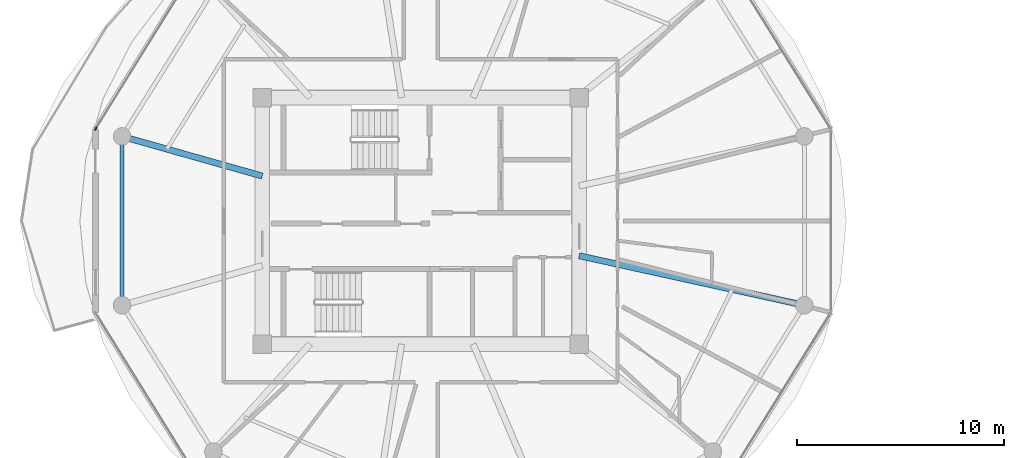
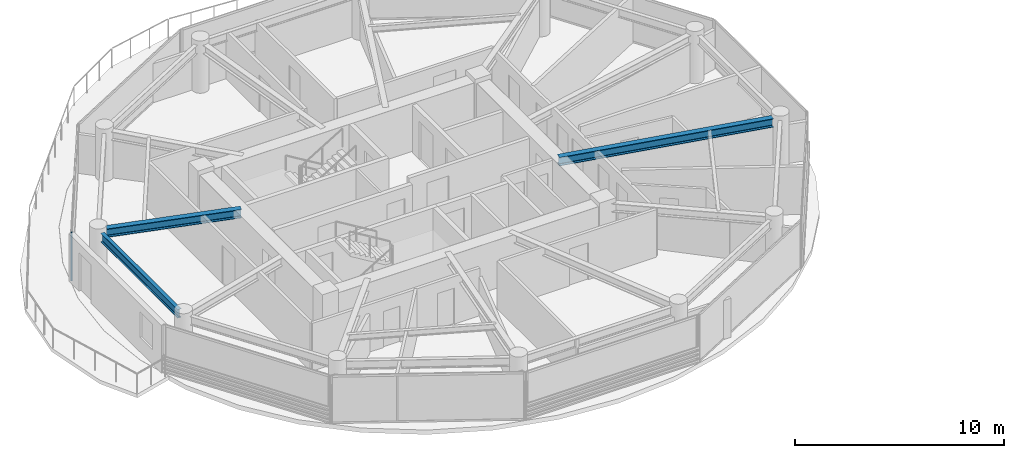
# One storey, part 3 of 22: 3 beams, 1 member, 1 element without a shape of its own.
"""IFC4 building model written with IfcOpenShell, lengths in metres."""

from ifc_helpers import new_model, si_unit, direction, frame, origin, origin_2d, place, context, subcontext, project, spatial, rectangle, i_section, extrude, source, transform, mapped, material, layer, layer_set, material_profile, profile_set, type_object, type_shapes, element, aggregate, save


model = new_model("IFC4")

# Units and contexts
model_context = context("Model", 3, precision=1e-05, world=origin(), true_north=direction((0.0, 1.0)))
body_context = subcontext(model_context, "Body", "Model", "MODEL_VIEW")
ifc_project = project(units=[si_unit("LENGTHUNIT", "METRE"), si_unit("AREAUNIT", "SQUARE_METRE"), si_unit("VOLUMEUNIT", "CUBIC_METRE"), si_unit("PLANEANGLEUNIT", "RADIAN"), si_unit("MASSUNIT", "GRAM", prefix="KILO")], contexts=[model_context])

# Site, building, storey
site_placement = place(None, origin())
site = spatial("IfcSite", under=ifc_project, at=site_placement, CompositionType="ELEMENT")
building_placement = place(site_placement, origin())
building = spatial("IfcBuilding", under=site, at=building_placement, Name="Norrkilde Senior Care Towers", CompositionType="ELEMENT")
storey_placement = place(building_placement, frame((0.0, 0.0, 87.10009765625)))
storey = spatial("IfcBuildingStorey", under=building, at=storey_placement, Name="L26", CompositionType="ELEMENT", Elevation=87.10009765625)

# Beams
ifc_material_1 = material(Name="Steel S355", Category="steel")
ifc_material_profile_1 = material_profile(ifc_material_1, i_section(OverallWidth=0.300048828125, OverallDepth=0.5, WebThickness=0.014404296875, FlangeThickness=0.028076171875, FilletRadius=0.027099609375, at=origin_2d()), Name="HEB 500")
ifc_profile_set_1 = profile_set([ifc_material_profile_1], Name="Steel S355")
beam_type_1 = type_object("IfcBeamType", Name="Radial Floor Beam Z2 HEB500", PredefinedType="BEAM", material=ifc_profile_set_1)
shared_shape_1 = source(origin(), body_context, "Body", "SweptSolid", [
    extrude(i_section(OverallWidth=0.300048828125, OverallDepth=0.5, WebThickness=0.014404296875, FlangeThickness=0.028076171875, FilletRadius=0.027099609375, at=origin_2d()), origin(), (0.0, 0.0, 1.0), 10.744384765625),
])
beam_1_placement = place(storey_placement, frame((-20.35009765625, -1.683837890625, 2.539794921875), z_axis=(0.976618711422, -0.214978818724, 0.0), x_axis=(0.214978818724, 0.976618711422, 0.0)))
element("IfcBeam", 1, at=beam_1_placement, inside=storey, type_object=beam_type_1, Name="L26 Drum W Radial Floor Beam 12", PredefinedType="BEAM", context=body_context, shape_type="MappedRepresentation", body=[
    mapped(shared_shape_1, transform((0.0, 0.0, 0.0), x_axis=(1.0, 0.0, 0.0), y_axis=(0.0, 1.0, 0.0), z_axis=(0.0, 0.0, 1.0), scale=1.0)),
])
ifc_material_profile_2 = material_profile(ifc_material_1, i_section(OverallWidth=0.199951171875, OverallDepth=0.5, WebThickness=0.01025390625, FlangeThickness=0.01611328125, FilletRadius=0.02099609375, at=origin_2d()), Name="IPE 500")
ifc_profile_set_2 = profile_set([ifc_material_profile_2], Name="Steel S355")
beam_type_2 = type_object("IfcBeamType", Name="Perimeter Ring Spandrel Z2 IPE500", PredefinedType="SPANDREL", material=ifc_profile_set_2)
shared_shape_2 = source(origin(), body_context, "Body", "SweptSolid", [
    extrude(i_section(OverallWidth=0.199951171875, OverallDepth=0.5, WebThickness=0.01025390625, FlangeThickness=0.01611328125, FilletRadius=0.02099609375, at=origin_2d()), origin(), (0.0, 0.0, 1.0), 7.3828125),
])
type_shapes(beam_type_2, [shared_shape_2])
beam_2_placement = place(storey_placement, frame((-42.4189453125, 3.69140625, 2.539794921875), z_axis=(0.0, -1.0, 0.0), x_axis=(1.0, 0.0, 0.0)))
element("IfcBeam", 2, at=beam_2_placement, inside=storey, type_object=beam_type_2, Name="L26 Drum W Perimeter Spandrel 06", PredefinedType="SPANDREL", context=body_context, shape_type="MappedRepresentation", body=[
    mapped(shared_shape_2, transform((0.0, 0.0, 0.0), x_axis=(1.0, 0.0, 0.0), y_axis=(0.0, 1.0, 0.0), z_axis=(0.0, 0.0, 1.0), scale=1.0)),
])
shared_shape_3 = source(origin(), body_context, "Body", "SweptSolid", [
    extrude(i_section(OverallWidth=0.300048828125, OverallDepth=0.5, WebThickness=0.014404296875, FlangeThickness=0.028076171875, FilletRadius=0.027099609375, at=origin_2d()), origin(), (0.0, 0.0, 1.0), 6.6494140625),
])
type_shapes(beam_type_1, [shared_shape_1, shared_shape_3])
beam_3_placement = place(storey_placement, frame((-35.64990234375, 2.162841796875, 2.539794921875), z_axis=(-0.962289138357, 0.27202870106, 0.0), x_axis=(-0.27202870106, -0.962289138357, 0.0)))
element("IfcBeam", 3, at=beam_3_placement, inside=storey, type_object=beam_type_1, Name="L26 Drum W Radial Floor Beam 06", PredefinedType="BEAM", context=body_context, shape_type="MappedRepresentation", body=[
    mapped(shared_shape_3, transform((0.0, 0.0, 0.0), x_axis=(1.0, 0.0, 0.0), y_axis=(0.0, 1.0, 0.0), z_axis=(0.0, 0.0, 1.0), scale=1.0)),
])

# Curtain wall, member
ifc_material_2 = material(Name="Triple Low-E Insulated Glazing", Category="glass")
ifc_layer = layer(ifc_material_2, 0.195068359375)
ifc_layer_set = layer_set([ifc_layer], Name="Triple Low-E Insulated Glazing")
curtain_wall_type = type_object("IfcCurtainWallType", Name="CW3 Zone 2 Assisted Living Curtain Wall", PredefinedType="NOTDEFINED", material=ifc_layer_set)
curtain_wall_placement = place(storey_placement, origin())
curtain_wall = element("IfcCurtainWall", 4, at=curtain_wall_placement, inside=storey, type_object=curtain_wall_type, Name="L26 Drum W Curtain Wall 04", PredefinedType="NOTDEFINED")
ifc_material_3 = material(Name="Anodised Aluminium", Category="aluminium")
ifc_material_profile_3 = material_profile(ifc_material_3, rectangle(XDim=0.06494140625, YDim=0.159912109375, at=origin_2d()), Name="ALU MULL 65x160")
ifc_profile_set_3 = profile_set([ifc_material_profile_3], Name="Anodised Aluminium")
member_type = type_object("IfcMemberType", Name="Curtain Wall Mullion Z1-Z2 65x160", PredefinedType="MULLION", material=ifc_profile_set_3)
shared_shape_4 = source(origin(), body_context, "Body", "SweptSolid", [
    extrude(rectangle(XDim=0.06494140625, YDim=0.159912109375, at=origin_2d()), origin(), (0.0, 0.0, 1.0), 2.789794921875),
])
type_shapes(member_type, [shared_shape_4])
member_placement = place(storey_placement, frame((-43.6865234375, 4.4482421875, 0.0), z_axis=(0.0, 0.0, 1.0), x_axis=(-0.849410171862, 0.527733228002, 0.0)))
member = element("IfcMember", 5, at=member_placement, type_object=member_type, Name="CW-3 mullion 1", PredefinedType="MULLION", context=body_context, shape_type="MappedRepresentation", body=[
    mapped(shared_shape_4, transform((0.0, 0.0, 0.0), x_axis=(1.0, 0.0, 0.0), y_axis=(0.0, 1.0, 0.0), z_axis=(0.0, 0.0, 1.0), scale=1.0)),
])
aggregate(curtain_wall, [member])

save(model, "model.ifc")
